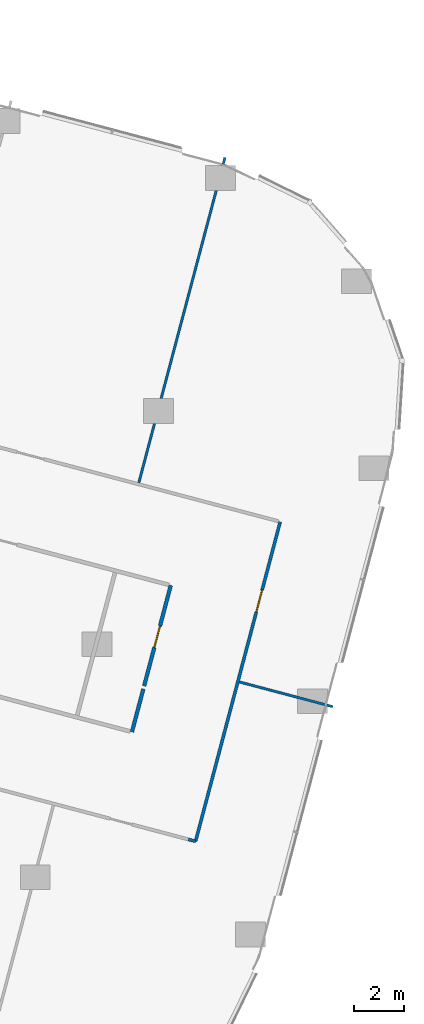
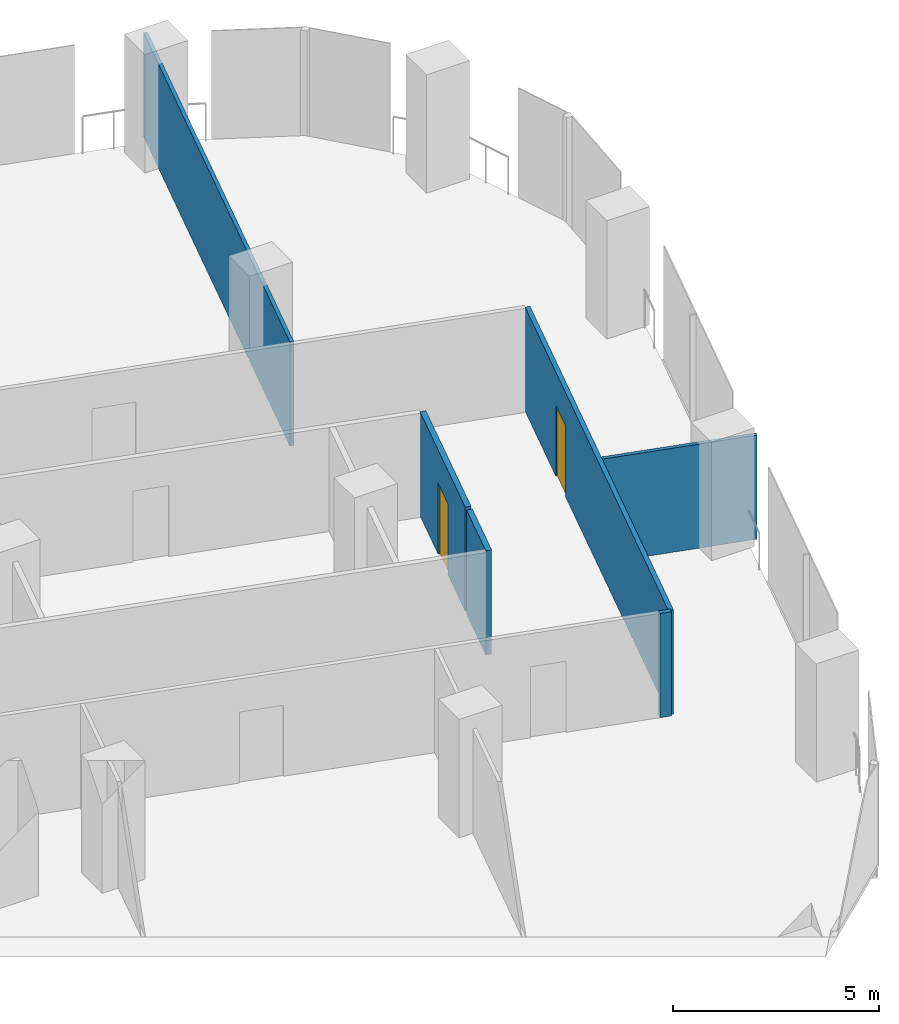
# One storey, part 27 of 34: 6 walls, 2 doors, 2 openings.
"""IFC4 building model written with IfcOpenShell, lengths in metres."""

from ifc_helpers import new_model, si_unit, direction, frame, frame_2d, origin, place, context, subcontext, project, spatial, rectangle, extrude, material, layer, layer_set, type_object, element, fill, save


model = new_model("IFC4")

# Units and contexts
model_context = context("Model", 3, precision=1e-05, world=origin(), true_north=direction((0.0, 1.0)))
body_context = subcontext(model_context, "Body", "Model", "MODEL_VIEW")
ifc_project = project(units=[si_unit("LENGTHUNIT", "METRE"), si_unit("AREAUNIT", "SQUARE_METRE"), si_unit("VOLUMEUNIT", "CUBIC_METRE"), si_unit("PLANEANGLEUNIT", "RADIAN"), si_unit("MASSUNIT", "GRAM", prefix="KILO")], contexts=[model_context])

# Site, building, storey
site_placement = place(None, origin())
site = spatial("IfcSite", under=ifc_project, at=site_placement, CompositionType="ELEMENT")
building_placement = place(site_placement, origin())
building = spatial("IfcBuilding", under=site, at=building_placement, Name="Orlundy Tower", CompositionType="ELEMENT")
storey_placement = place(building_placement, frame((0.0, 0.0, 102.199951171875)))
storey = spatial("IfcBuildingStorey", under=building, at=storey_placement, Name="L25", CompositionType="ELEMENT", Elevation=102.199951171875)

# Walls
ifc_material_1 = material(Name="Gypsum board partition")
ifc_layer_1 = layer(ifc_material_1, 0.10009765625)
ifc_layer_set_1 = layer_set([ifc_layer_1], Name="Floor partition 100")
wall_type_1 = type_object("IfcWallType", Name="Floor partition 100", PredefinedType="PARTITIONING", material=ifc_layer_set_1)
wall_1_placement = place(storey_placement, frame((54.968017578125, -14.556884765625, 0.0), z_axis=(0.0, 0.0, 1.0), x_axis=(0.966683749524, -0.25597368694, 0.0)))
element("IfcWall", 1, at=wall_1_placement, inside=storey, type_object=wall_type_1, Name="wall-int-L25-029", PredefinedType="PARTITIONING", context=body_context, shape_type="SweptSolid", body=[
    extrude(rectangle(XDim=3.8876953125, YDim=0.10009765625, at=frame_2d((1.94384765625, 0.0))), origin(), (0.0, 0.0, 1.0), 3.080078125),
])
wall_2_placement = place(storey_placement, frame((50.922119140625, -6.5419921875, 0.0), z_axis=(0.0, 0.0, 1.0), x_axis=(0.25602342398, 0.966670578001, 0.0)))
element("IfcWall", 2, at=wall_2_placement, inside=storey, type_object=wall_type_1, Name="wall-int-L25-073", PredefinedType="PARTITIONING", context=body_context, shape_type="SweptSolid", body=[
    extrude(rectangle(XDim=13.537109375, YDim=0.10009765625, at=frame_2d((6.7685546875, 0.0))), origin(), (0.0, 0.0, 1.0), 3.080078125),
])
ifc_material_2 = material(Name="Gypsum board partition, double layer")
ifc_layer_2 = layer(ifc_material_2, 0.125)
ifc_layer_set_2 = layer_set([ifc_layer_2], Name="Floor partition 125")
wall_type_2 = type_object("IfcWallType", Name="Floor partition 125", PredefinedType="PARTITIONING", material=ifc_layer_set_2)
wall_3_placement = place(storey_placement, frame((52.9150390625, -20.89306640625, 0.0), z_axis=(0.0, 0.0, 1.0), x_axis=(0.966598588757, -0.256295080352, 0.0)))
element("IfcWall", 3, at=wall_3_placement, inside=storey, type_object=wall_type_2, Name="wall-int-L25-026", PredefinedType="PARTITIONING", context=body_context, shape_type="SweptSolid", body=[
    extrude(rectangle(XDim=0.300048828125, YDim=0.125, at=frame_2d((0.14990234375, 0.0))), origin(), (0.0, 0.0, 1.0), 3.080078125),
])

# Wall, opening, door
wall_4_placement = place(storey_placement, frame((56.60888671875, -8.118896484375, 0.0), z_axis=(0.0, 0.0, 1.0), x_axis=(-0.256036919422, -0.966667003623, 0.0)))
wall_4 = element("IfcWall", 4, at=wall_4_placement, inside=storey, type_object=wall_type_2, Name="wall-int-L25-068", PredefinedType="PARTITIONING", context=body_context, shape_type="SweptSolid", body=[
    extrude(rectangle(XDim=13.294189453125, YDim=0.125, at=frame_2d((6.64697265625, 0.0))), origin(), (0.0, 0.0, 1.0), 3.080078125),
])
opening_1_placement = place(wall_4_placement, frame((2.843994140625, 0.0, 0.0)))
opening_1 = element("IfcOpeningElement", 5, at=opening_1_placement, cuts=wall_4, Name="Opening 20105", PredefinedType="OPENING", context=body_context, shape_type="SweptSolid", body=[
    extrude(rectangle(XDim=0.89990234375, YDim=2.10009765625, at=frame_2d((0.449951171875, 1.050048828125))), frame((0.0, 0.072509765625, 0.0), z_axis=(0.0, -1.0, 0.0), x_axis=(1.0, 0.0, 0.0)), (0.0, 0.0, 1.0), 0.14501953125),
])
ifc_material_3 = material(Name="Timber door leaf", Category="wood")
door_type_1 = type_object("IfcDoorType", Name="Floor door single 900 FD30S", OperationType="NOTDEFINED", PredefinedType="DOOR", material=ifc_material_3)
door_1_placement = place(opening_1_placement, origin())
door_1 = element("IfcDoor", 6, at=door_1_placement, inside=storey, type_object=door_type_1, Name="Door 20105", OperationType="SINGLE_SWING_LEFT", OverallHeight=2.10009765625, OverallWidth=0.89990234375, PredefinedType="DOOR", context=body_context, shape_type="SweptSolid", body=[
    extrude(rectangle(XDim=0.89990234375, YDim=2.10009765625, at=frame_2d((0.449951171875, 1.050048828125))), frame((0.0, 0.02490234375, 0.0), z_axis=(0.0, -1.0, 0.0), x_axis=(1.0, 0.0, 0.0)), (0.0, 0.0, 1.0), 0.050048828125),
])
fill(opening_1, door_1)

# Wall
ifc_material_4 = material(Name="Blockwork shaft wall", Category="masonry")
ifc_layer_3 = layer(ifc_material_4, 0.14990234375)
ifc_layer_set_3 = layer_set([ifc_layer_3], Name="Floor shaft wall 150")
wall_type_3 = type_object("IfcWallType", Name="Floor shaft wall 150", PredefinedType="PARTITIONING", material=ifc_layer_set_3)
wall_5_placement = place(storey_placement, frame((50.64599609375, -16.56689453125, 0.0), z_axis=(0.0, 0.0, 1.0), x_axis=(0.256234173413, 0.966614736271, 0.0)))
element("IfcWall", 7, at=wall_5_placement, inside=storey, type_object=wall_type_3, Name="wall-int-L25-069", PredefinedType="PARTITIONING", context=body_context, shape_type="SweptSolid", body=[
    extrude(rectangle(XDim=1.787353515625, YDim=0.14990234375, at=frame_2d((0.8935546875, 0.0))), origin(), (0.0, 0.0, 1.0), 3.080078125),
])

# Wall, opening, door
wall_6_placement = place(storey_placement, frame((51.135986328125, -14.718994140625, 0.0), z_axis=(0.0, 0.0, 1.0), x_axis=(0.25585088256, 0.966716259247, 0.0)))
wall_6 = element("IfcWall", 8, at=wall_6_placement, inside=storey, type_object=wall_type_3, Name="wall-int-L25-070", PredefinedType="PARTITIONING", context=body_context, shape_type="SweptSolid", body=[
    extrude(rectangle(XDim=4.186279296875, YDim=0.14990234375, at=frame_2d((2.09326171875, 0.0))), origin(), (0.0, 0.0, 1.0), 3.080078125),
])
opening_2_placement = place(wall_6_placement, frame((1.60009765625, 0.0, 0.0)))
opening_2 = element("IfcOpeningElement", 9, at=opening_2_placement, cuts=wall_6, Name="Opening 20100", PredefinedType="OPENING", context=body_context, shape_type="SweptSolid", body=[
    extrude(rectangle(XDim=0.89990234375, YDim=2.10009765625, at=frame_2d((0.449951171875, 1.050048828125))), frame((0.0, 0.0849609375, 0.0), z_axis=(0.0, -1.0, 0.0), x_axis=(1.0, 0.0, 0.0)), (0.0, 0.0, 1.0), 0.169921875),
])
ifc_material_5 = material(Name="Timber door leaf", Category="wood")
door_type_2 = type_object("IfcDoorType", Name="Floor door single 900 FD60", OperationType="NOTDEFINED", PredefinedType="DOOR", material=ifc_material_5)
door_2_placement = place(opening_2_placement, origin())
door_2 = element("IfcDoor", 10, at=door_2_placement, inside=storey, type_object=door_type_2, Name="Door 20100", OperationType="SINGLE_SWING_LEFT", OverallHeight=2.10009765625, OverallWidth=0.89990234375, PredefinedType="DOOR", context=body_context, shape_type="SweptSolid", body=[
    extrude(rectangle(XDim=0.89990234375, YDim=2.10009765625, at=frame_2d((0.449951171875, 1.050048828125))), frame((0.0, 0.02490234375, 0.0), z_axis=(0.0, -1.0, 0.0), x_axis=(1.0, 0.0, 0.0)), (0.0, 0.0, 1.0), 0.050048828125),
])
fill(opening_2, door_2)

save(model, "model.ifc")
